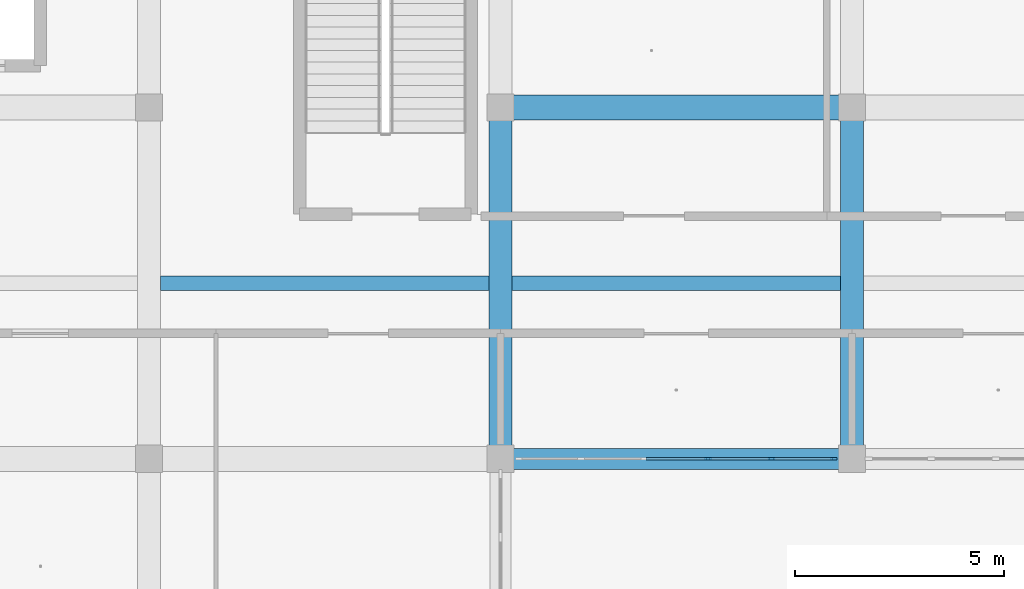
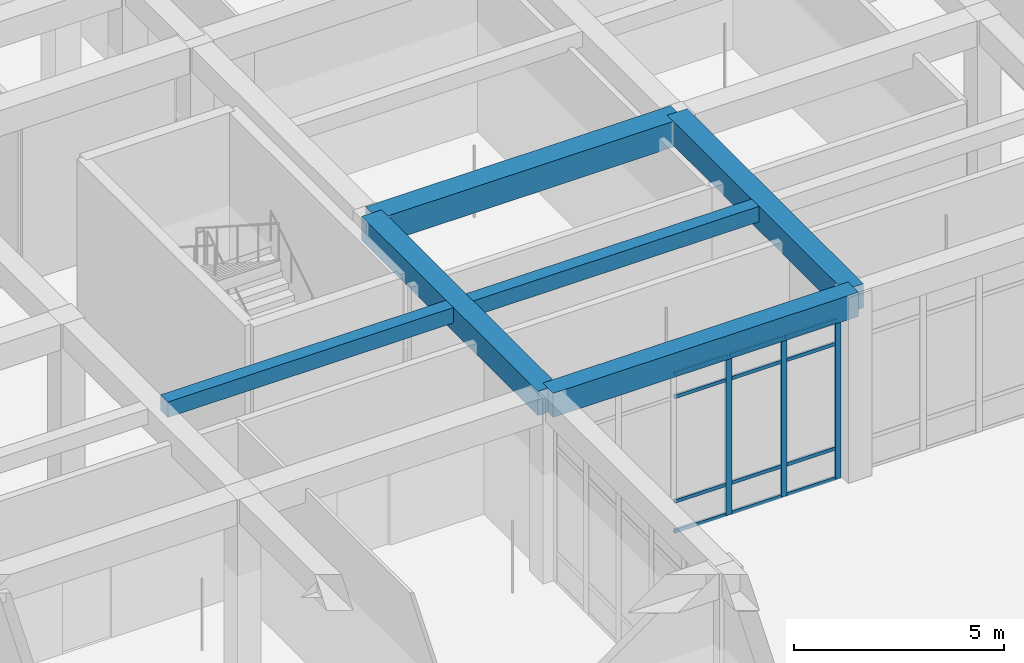
# One storey, part 32 of 167: 15 members, 6 beams, 1 element without a shape of its own.
"""IFC4 building model written with IfcOpenShell, lengths in metres."""

from ifc_helpers import new_model, si_unit, direction, frame, origin, origin_2d, place, context, subcontext, project, spatial, rectangle, extrude, material, material_profile, profile_set, type_object, element, aggregate, save


model = new_model("IFC4")

# Units and contexts
model_context = context("Model", 3, precision=1e-05, world=origin(), true_north=direction((0.0, 1.0)))
body_context = subcontext(model_context, "Body", "Model", "MODEL_VIEW")
ifc_project = project(units=[si_unit("LENGTHUNIT", "METRE"), si_unit("AREAUNIT", "SQUARE_METRE"), si_unit("VOLUMEUNIT", "CUBIC_METRE"), si_unit("PLANEANGLEUNIT", "RADIAN"), si_unit("MASSUNIT", "GRAM", prefix="KILO")], contexts=[model_context])

# Site, building, storey
site_placement = place(None, origin())
site = spatial("IfcSite", under=ifc_project, at=site_placement, CompositionType="ELEMENT")
building_placement = place(site_placement, origin())
building = spatial("IfcBuilding", under=site, at=building_placement, Name="Varncliffe General Hospital", CompositionType="ELEMENT")
storey_placement = place(building_placement, origin())
storey = spatial("IfcBuildingStorey", under=building, at=storey_placement, Name="L00", CompositionType="ELEMENT", Elevation=0.0)

# Beams
ifc_material_1 = material(Name="Concrete C35/45 (CSA A23.1 35 MPa)", Category="concrete")
ifc_material_profile_1 = material_profile(ifc_material_1, rectangle(XDim=0.60009765625, YDim=0.75, at=origin_2d()), Name="RC 600x750")
ifc_profile_set_1 = profile_set([ifc_material_profile_1], Name="Concrete C35/45 (CSA A23.1 35 MPa)")
beam_type_1 = type_object("IfcBeamType", Name="Beam B23 (Int RC 600x750)", PredefinedType="BEAM", material=ifc_profile_set_1)
beam_1_placement = place(storey_placement, frame((117.60009765625, 91.199951171875, 5.02490234375), z_axis=(1.0, 0.0, 0.0), x_axis=(0.0, 1.0, 0.0)))
element("IfcBeam", 1, at=beam_1_placement, inside=storey, type_object=beam_type_1, Name="L00 Primary Beam B23-144", PredefinedType="BEAM", context=body_context, shape_type="SweptSolid", body=[
    extrude(rectangle(XDim=0.60009765625, YDim=0.75, at=origin_2d()), origin(), (0.0, 0.0, 1.0), 8.39990234375),
])
ifc_material_profile_2 = material_profile(ifc_material_1, rectangle(XDim=0.550048828125, YDim=0.699951171875, at=origin_2d()), Name="RC 550x700")
ifc_profile_set_2 = profile_set([ifc_material_profile_2], Name="Concrete C35/45 (CSA A23.1 35 MPa)")
beam_type_2 = type_object("IfcBeamType", Name="Beam B35 (Int RC 550x700)", PredefinedType="BEAM", material=ifc_profile_set_2)
for number, where, z_axis, x_axis, name in (
    (2, (117.60009765625, 82.800048828125, 5.050048828125), (0.0, 1.0, 0.0), (-1.0, 0.0, 0.0), "L00 Primary Beam B35-425"),
    (3, (126.0, 82.800048828125, 5.050048828125), (0.0, 1.0, 0.0), (-1.0, 0.0, 0.0), "L00 Primary Beam B35-434"),
):
    element("IfcBeam", number, at=place(storey_placement, frame(where, z_axis=z_axis, x_axis=x_axis)), inside=storey, type_object=beam_type_2, Name=name, PredefinedType="BEAM", context=body_context, shape_type="SweptSolid", body=[
        extrude(rectangle(XDim=0.550048828125, YDim=0.699951171875, at=origin_2d()), origin(), (0.0, 0.0, 1.0), 8.39990234375),
    ])

# Curtain wall, members
ifc_material_2 = material(Name="Triple low-E argon insulated vision glazing", Category="glass")
curtain_wall_type = type_object("IfcCurtainWallType", Name="Unitised Glazed Curtain Wall CW26 (7594x4640)", PredefinedType="USERDEFINED", material=ifc_material_2)
curtain_wall_placement = place(storey_placement, origin())
curtain_wall = element("IfcCurtainWall", 4, at=curtain_wall_placement, inside=storey, type_object=curtain_wall_type, Name="L00 Glazed Curtain Wall CW26-35", ObjectType="GLAZED CURTAIN WALL", PredefinedType="USERDEFINED")
ifc_material_3 = material(Name="Dark bronze thermally broken aluminium framing", Category="aluminium")
ifc_material_profile_3 = material_profile(ifc_material_3, rectangle(XDim=0.06494140625, YDim=0.159912109375, at=origin_2d()), Name="ALU 65x160")
ifc_profile_set_3 = profile_set([ifc_material_profile_3], Name="Dark bronze thermally broken aluminium framing")
member_type_1 = type_object("IfcMemberType", Name="Curtain Wall Mullion CM65 (ALU 65x160)", PredefinedType="MULLION", material=ifc_profile_set_3)
member_1_placement = place(storey_placement, frame((125.564453125, 82.800048828125, 0.0), z_axis=(0.0, 0.0, 1.0), x_axis=(0.0, -1.0, 0.0)))
member_1 = element("IfcMember", 5, at=member_1_placement, type_object=member_type_1, Name="CW26 mullion 1", PredefinedType="MULLION", context=body_context, shape_type="SweptSolid", body=[
    extrude(rectangle(XDim=0.06494140625, YDim=0.159912109375, at=origin_2d()), origin(), (0.0, 0.0, 1.0), 4.639892578125),
])
member_2_placement = place(storey_placement, frame((124.078125, 82.800048828125, 0.0), z_axis=(0.0, 0.0, 1.0), x_axis=(0.0, -1.0, 0.0)))
member_2 = element("IfcMember", 6, at=member_2_placement, type_object=member_type_1, Name="CW26 mullion 2", PredefinedType="MULLION", context=body_context, shape_type="SweptSolid", body=[
    extrude(rectangle(XDim=0.06494140625, YDim=0.159912109375, at=origin_2d()), origin(), (0.0, 0.0, 1.0), 4.639892578125),
])
member_3_placement = place(storey_placement, frame((122.559326171875, 82.800048828125, 0.0), z_axis=(0.0, 0.0, 1.0), x_axis=(0.0, -1.0, 0.0)))
member_3 = element("IfcMember", 7, at=member_3_placement, type_object=member_type_1, Name="CW26 mullion 3", PredefinedType="MULLION", context=body_context, shape_type="SweptSolid", body=[
    extrude(rectangle(XDim=0.06494140625, YDim=0.159912109375, at=origin_2d()), origin(), (0.0, 0.0, 1.0), 4.639892578125),
])
ifc_material_profile_4 = material_profile(ifc_material_3, rectangle(XDim=0.06005859375, YDim=0.10009765625, at=origin_2d()), Name="ALU 60x100")
ifc_profile_set_4 = profile_set([ifc_material_profile_4], Name="Dark bronze thermally broken aluminium framing")
member_type_2 = type_object("IfcMemberType", Name="Curtain Wall Transom CT18 (ALU 60x100)", PredefinedType="USERDEFINED", material=ifc_profile_set_4)
member_4_placement = place(storey_placement, frame((125.531982421875, 82.800048828125, 0.030029296875), z_axis=(-1.0, 0.0, 0.0), x_axis=(0.0, -1.0, 0.0)))
member_4 = element("IfcMember", 8, at=member_4_placement, type_object=member_type_2, Name="CW26 transom 1.1", ObjectType="TRANSOM", PredefinedType="USERDEFINED", context=body_context, shape_type="SweptSolid", body=[
    extrude(rectangle(XDim=0.06005859375, YDim=0.10009765625, at=origin_2d()), origin(), (0.0, 0.0, 1.0), 1.42138671875),
])
member_5_placement = place(storey_placement, frame((125.531982421875, 82.800048828125, 0.89990234375), z_axis=(-1.0, 0.0, 0.0), x_axis=(0.0, -1.0, 0.0)))
member_5 = element("IfcMember", 9, at=member_5_placement, type_object=member_type_2, Name="CW26 transom 1.2", ObjectType="TRANSOM", PredefinedType="USERDEFINED", context=body_context, shape_type="SweptSolid", body=[
    extrude(rectangle(XDim=0.06005859375, YDim=0.10009765625, at=origin_2d()), origin(), (0.0, 0.0, 1.0), 1.42138671875),
])
member_6_placement = place(storey_placement, frame((125.531982421875, 82.800048828125, 3.93994140625), z_axis=(-1.0, 0.0, 0.0), x_axis=(0.0, -1.0, 0.0)))
member_6 = element("IfcMember", 10, at=member_6_placement, type_object=member_type_2, Name="CW26 transom 1.3", ObjectType="TRANSOM", PredefinedType="USERDEFINED", context=body_context, shape_type="SweptSolid", body=[
    extrude(rectangle(XDim=0.06005859375, YDim=0.10009765625, at=origin_2d()), origin(), (0.0, 0.0, 1.0), 1.42138671875),
])
member_7_placement = place(storey_placement, frame((125.531982421875, 82.800048828125, 4.610107421875), z_axis=(-1.0, 0.0, 0.0), x_axis=(0.0, -1.0, 0.0)))
member_7 = element("IfcMember", 11, at=member_7_placement, type_object=member_type_2, Name="CW26 transom 1.4", ObjectType="TRANSOM", PredefinedType="USERDEFINED", context=body_context, shape_type="SweptSolid", body=[
    extrude(rectangle(XDim=0.06005859375, YDim=0.10009765625, at=origin_2d()), origin(), (0.0, 0.0, 1.0), 1.42138671875),
])
member_8_placement = place(storey_placement, frame((124.045654296875, 82.800048828125, 0.030029296875), z_axis=(-1.0, 0.0, 0.0), x_axis=(0.0, -1.0, 0.0)))
member_8 = element("IfcMember", 12, at=member_8_placement, type_object=member_type_2, Name="CW26 transom 2.1", ObjectType="TRANSOM", PredefinedType="USERDEFINED", context=body_context, shape_type="SweptSolid", body=[
    extrude(rectangle(XDim=0.06005859375, YDim=0.10009765625, at=origin_2d()), origin(), (0.0, 0.0, 1.0), 1.453857421875),
])
member_9_placement = place(storey_placement, frame((124.045654296875, 82.800048828125, 0.89990234375), z_axis=(-1.0, 0.0, 0.0), x_axis=(0.0, -1.0, 0.0)))
member_9 = element("IfcMember", 13, at=member_9_placement, type_object=member_type_2, Name="CW26 transom 2.2", ObjectType="TRANSOM", PredefinedType="USERDEFINED", context=body_context, shape_type="SweptSolid", body=[
    extrude(rectangle(XDim=0.06005859375, YDim=0.10009765625, at=origin_2d()), origin(), (0.0, 0.0, 1.0), 1.453857421875),
])
member_10_placement = place(storey_placement, frame((124.045654296875, 82.800048828125, 3.93994140625), z_axis=(-1.0, 0.0, 0.0), x_axis=(0.0, -1.0, 0.0)))
member_10 = element("IfcMember", 14, at=member_10_placement, type_object=member_type_2, Name="CW26 transom 2.3", ObjectType="TRANSOM", PredefinedType="USERDEFINED", context=body_context, shape_type="SweptSolid", body=[
    extrude(rectangle(XDim=0.06005859375, YDim=0.10009765625, at=origin_2d()), origin(), (0.0, 0.0, 1.0), 1.453857421875),
])
member_11_placement = place(storey_placement, frame((124.045654296875, 82.800048828125, 4.610107421875), z_axis=(-1.0, 0.0, 0.0), x_axis=(0.0, -1.0, 0.0)))
member_11 = element("IfcMember", 15, at=member_11_placement, type_object=member_type_2, Name="CW26 transom 2.4", ObjectType="TRANSOM", PredefinedType="USERDEFINED", context=body_context, shape_type="SweptSolid", body=[
    extrude(rectangle(XDim=0.06005859375, YDim=0.10009765625, at=origin_2d()), origin(), (0.0, 0.0, 1.0), 1.453857421875),
])
member_12_placement = place(storey_placement, frame((122.52685546875, 82.800048828125, 0.030029296875), z_axis=(-1.0, 0.0, 0.0), x_axis=(0.0, -1.0, 0.0)))
member_12 = element("IfcMember", 16, at=member_12_placement, type_object=member_type_2, Name="CW26 transom 3.1", ObjectType="TRANSOM", PredefinedType="USERDEFINED", context=body_context, shape_type="SweptSolid", body=[
    extrude(rectangle(XDim=0.06005859375, YDim=0.10009765625, at=origin_2d()), origin(), (0.0, 0.0, 1.0), 1.453857421875),
])
member_13_placement = place(storey_placement, frame((122.52685546875, 82.800048828125, 0.89990234375), z_axis=(-1.0, 0.0, 0.0), x_axis=(0.0, -1.0, 0.0)))
member_13 = element("IfcMember", 17, at=member_13_placement, type_object=member_type_2, Name="CW26 transom 3.2", ObjectType="TRANSOM", PredefinedType="USERDEFINED", context=body_context, shape_type="SweptSolid", body=[
    extrude(rectangle(XDim=0.06005859375, YDim=0.10009765625, at=origin_2d()), origin(), (0.0, 0.0, 1.0), 1.453857421875),
])
member_14_placement = place(storey_placement, frame((122.52685546875, 82.800048828125, 3.93994140625), z_axis=(-1.0, 0.0, 0.0), x_axis=(0.0, -1.0, 0.0)))
member_14 = element("IfcMember", 18, at=member_14_placement, type_object=member_type_2, Name="CW26 transom 3.3", ObjectType="TRANSOM", PredefinedType="USERDEFINED", context=body_context, shape_type="SweptSolid", body=[
    extrude(rectangle(XDim=0.06005859375, YDim=0.10009765625, at=origin_2d()), origin(), (0.0, 0.0, 1.0), 1.453857421875),
])
member_15_placement = place(storey_placement, frame((122.52685546875, 82.800048828125, 4.610107421875), z_axis=(-1.0, 0.0, 0.0), x_axis=(0.0, -1.0, 0.0)))
member_15 = element("IfcMember", 19, at=member_15_placement, type_object=member_type_2, Name="CW26 transom 3.4", ObjectType="TRANSOM", PredefinedType="USERDEFINED", context=body_context, shape_type="SweptSolid", body=[
    extrude(rectangle(XDim=0.06005859375, YDim=0.10009765625, at=origin_2d()), origin(), (0.0, 0.0, 1.0), 1.453857421875),
])
aggregate(curtain_wall, [member_1, member_2, member_3, member_4, member_5, member_6, member_7, member_8, member_9, member_10, member_11, member_12, member_13, member_14, member_15])

# Beams
ifc_material_profile_5 = material_profile(ifc_material_1, rectangle(XDim=0.35009765625, YDim=0.449951171875, at=origin_2d()), Name="RC 350x450")
ifc_profile_set_5 = profile_set([ifc_material_profile_5], Name="Concrete C35/45 (CSA A23.1 35 MPa)")
beam_type_3 = type_object("IfcBeamType", Name="Joist J55 (Int RC 350x450)", PredefinedType="JOIST", material=ifc_profile_set_5)
for number, where, z_axis, x_axis, name in (
    (20, (109.472900390625, 87.0, 5.175048828125), (1.0, 0.0, 0.0), (0.0, 1.0, 0.0), "L00 Secondary Floor Rib J55-56"),
    (21, (117.873046875, 87.0, 5.175048828125), (1.0, 0.0, 0.0), (0.0, 1.0, 0.0), "L00 Secondary Floor Rib J55-59"),
):
    element("IfcBeam", number, at=place(storey_placement, frame(where, z_axis=z_axis, x_axis=x_axis)), inside=storey, type_object=beam_type_3, Name=name, PredefinedType="JOIST", context=body_context, shape_type="SweptSolid", body=[
        extrude(rectangle(XDim=0.35009765625, YDim=0.449951171875, at=origin_2d()), origin(), (0.0, 0.0, 1.0), 7.85400390625),
    ])
ifc_material_profile_6 = material_profile(ifc_material_1, rectangle(XDim=0.5, YDim=0.699951171875, at=origin_2d()), Name="RC 500x700")
ifc_profile_set_6 = profile_set([ifc_material_profile_6], Name="Concrete C35/45 (CSA A23.1 35 MPa)")
beam_type_4 = type_object("IfcBeamType", Name="Spandrel SP19 (Ext RC 500x700)", PredefinedType="SPANDREL", material=ifc_profile_set_6)
beam_2_placement = place(storey_placement, frame((117.60009765625, 82.800048828125, 5.050048828125), z_axis=(1.0, 0.0, 0.0), x_axis=(0.0, 1.0, 0.0)))
element("IfcBeam", 22, at=beam_2_placement, inside=storey, type_object=beam_type_4, Name="L00 Spandrel Beam SP19-126", PredefinedType="SPANDREL", context=body_context, shape_type="SweptSolid", body=[
    extrude(rectangle(XDim=0.5, YDim=0.699951171875, at=origin_2d()), origin(), (0.0, 0.0, 1.0), 8.39990234375),
])

save(model, "model.ifc")
